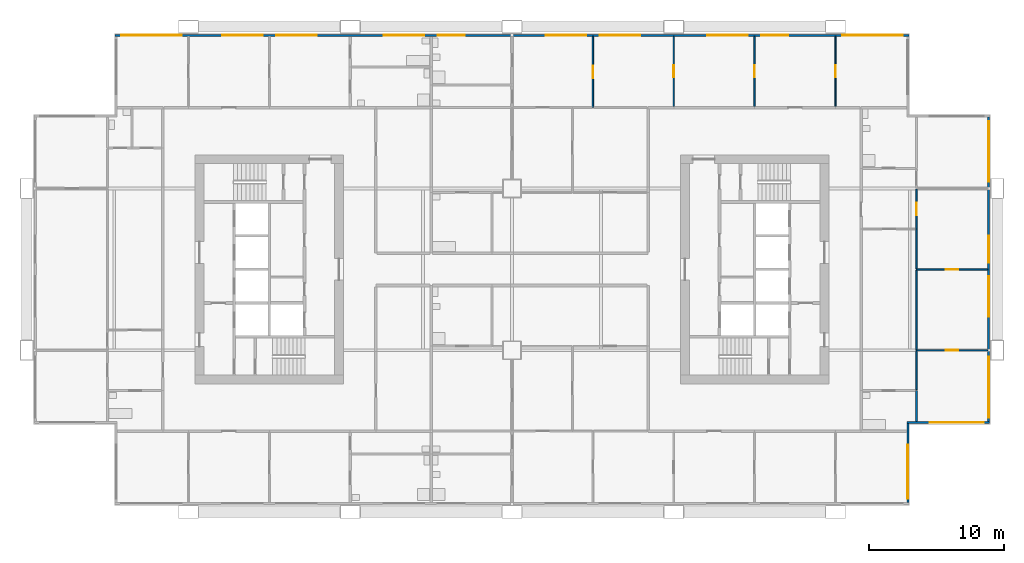
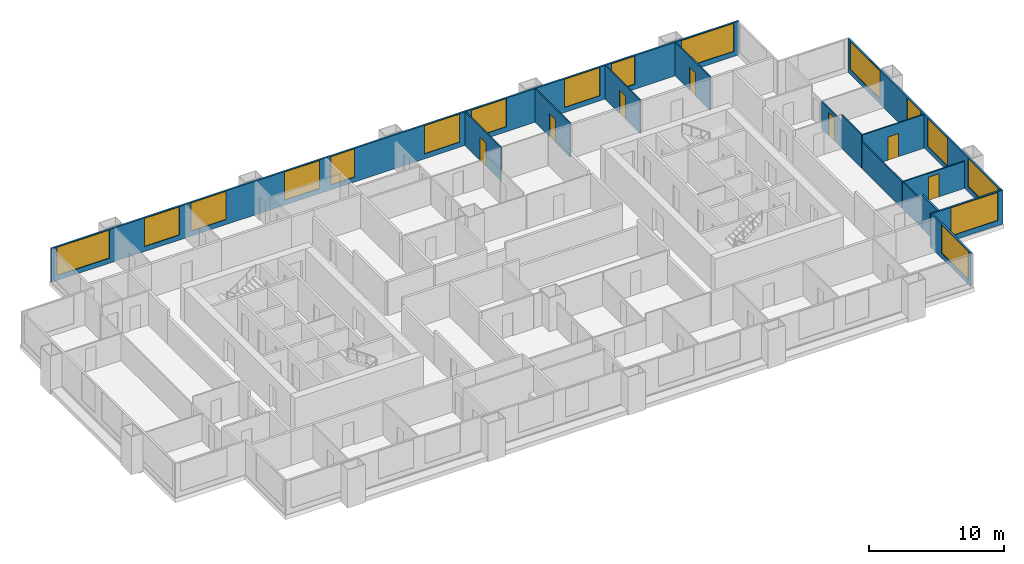
# One storey, part 8 of 11: 16 windows, 15 walls, 7 doors, 23 openings.
"""IFC4 building model written with IfcOpenShell, lengths in metres."""

from ifc_helpers import new_model, si_unit, direction, frame, frame_2d, origin, place, context, subcontext, project, spatial, rectangle, extrude, material, layer, layer_set, type_object, element, fill, save


model = new_model("IFC4")

# Units and contexts
model_context = context("Model", 3, precision=1e-05, world=origin(), true_north=direction((0.0, 1.0)))
body_context = subcontext(model_context, "Body", "Model", "MODEL_VIEW")
ifc_project = project(units=[si_unit("LENGTHUNIT", "METRE"), si_unit("AREAUNIT", "SQUARE_METRE"), si_unit("VOLUMEUNIT", "CUBIC_METRE"), si_unit("PLANEANGLEUNIT", "RADIAN"), si_unit("MASSUNIT", "GRAM", prefix="KILO")], contexts=[model_context])

# Site, building, storey
site_placement = place(None, origin())
site = spatial("IfcSite", under=ifc_project, at=site_placement, CompositionType="ELEMENT")
building_placement = place(site_placement, origin())
building = spatial("IfcBuilding", under=site, at=building_placement, Name="Kitamizu Gate Tower and Museum", CompositionType="ELEMENT")
storey_placement = place(building_placement, frame((0.0, 0.0, 110.39990234375)))
storey = spatial("IfcBuildingStorey", under=building, at=storey_placement, Name="L28", CompositionType="ELEMENT", Elevation=110.39990234375)

# Wall, opening, door
ifc_material_1 = material(Name="Gypsum board on galvanised stud")
ifc_layer_1 = layer(ifc_material_1, 0.10009765625)
ifc_layer_set_1 = layer_set([ifc_layer_1], Name="Gypsum board on galvanised stud")
wall_type_1 = type_object("IfcWallType", Name="Partition 100 NOT RATED", PredefinedType="PARTITIONING", material=ifc_layer_set_1)
wall_1_placement = place(storey_placement, frame((71.280029296875, 24.0, 0.0), z_axis=(0.0, 0.0, 1.0), x_axis=(-1.0, 0.0, 0.0)))
wall_1 = element("IfcWall", 1, at=wall_1_placement, inside=storey, type_object=wall_type_1, Name="Partition L28-068", PredefinedType="PARTITIONING", context=body_context, shape_type="SweptSolid", body=[
    extrude(rectangle(XDim=5.280029296875, YDim=0.10009765625, at=frame_2d((2.64013671875, 0.0))), origin(), (0.0, 0.0, 1.0), 2.4501953125),
])
opening_1_placement = place(wall_1_placement, frame((2.18994140625, 0.0, 0.0)))
opening_1 = element("IfcOpeningElement", 2, at=opening_1_placement, cuts=wall_1, Name="Opening L28-032", PredefinedType="OPENING", context=body_context, shape_type="SweptSolid", body=[
    extrude(rectangle(XDim=0.89990234375, YDim=2.10009765625, at=frame_2d((0.449951171875, 1.050048828125))), frame((0.0, 0.06005859375, 0.0), z_axis=(0.0, -1.0, 0.0), x_axis=(1.0, 0.0, 0.0)), (0.0, 0.0, 1.0), 0.1201171875),
])
ifc_material_2 = material(Name="Timber door set", Category="wood")
door_type = type_object("IfcDoorType", Name="Room door 900", OperationType="NOTDEFINED", PredefinedType="DOOR", material=ifc_material_2)
door_1_placement = place(opening_1_placement, origin())
door_1 = element("IfcDoor", 3, at=door_1_placement, inside=storey, type_object=door_type, Name="Door L28-032", OperationType="SINGLE_SWING_LEFT", OverallHeight=2.10009765625, OverallWidth=0.89990234375, PredefinedType="DOOR", context=body_context, shape_type="SweptSolid", body=[
    extrude(rectangle(XDim=0.89990234375, YDim=2.10009765625, at=frame_2d((0.449951171875, 1.050048828125))), frame((0.0, 0.02490234375, 0.0), z_axis=(0.0, -1.0, 0.0), x_axis=(1.0, 0.0, 0.0)), (0.0, 0.0, 1.0), 0.050048828125),
])
fill(opening_1, door_1)

# Wall
wall_2_placement = place(storey_placement, frame((66.0, 23.949951171875, 0.0), z_axis=(0.0, 0.0, 1.0), x_axis=(0.0, -1.0, 0.0)))
element("IfcWall", 4, at=wall_2_placement, inside=storey, type_object=wall_type_1, Name="Partition L28-070", PredefinedType="PARTITIONING", context=body_context, shape_type="SweptSolid", body=[
    extrude(rectangle(XDim=2.875, YDim=0.10009765625, at=frame_2d((1.4375, 0.0))), origin(), (0.0, 0.0, 1.0), 2.4501953125),
])

# Wall, opening, door
wall_3_placement = place(storey_placement, frame((71.280029296875, 30.0, 0.0), z_axis=(0.0, 0.0, 1.0), x_axis=(-1.0, 0.0, 0.0)))
wall_3 = element("IfcWall", 5, at=wall_3_placement, inside=storey, type_object=wall_type_1, Name="Partition L28-071", PredefinedType="PARTITIONING", context=body_context, shape_type="SweptSolid", body=[
    extrude(rectangle(XDim=5.280029296875, YDim=0.10009765625, at=frame_2d((2.64013671875, 0.0))), origin(), (0.0, 0.0, 1.0), 3.050048828125),
])
opening_2_placement = place(wall_3_placement, frame((2.18994140625, 0.0, 0.0)))
opening_2 = element("IfcOpeningElement", 6, at=opening_2_placement, cuts=wall_3, Name="Opening L28-030", PredefinedType="OPENING", context=body_context, shape_type="SweptSolid", body=[
    extrude(rectangle(XDim=0.89990234375, YDim=2.10009765625, at=frame_2d((0.449951171875, 1.050048828125))), frame((0.0, 0.06005859375, 0.0), z_axis=(0.0, -1.0, 0.0), x_axis=(1.0, 0.0, 0.0)), (0.0, 0.0, 1.0), 0.1201171875),
])
door_2_placement = place(opening_2_placement, origin())
door_2 = element("IfcDoor", 7, at=door_2_placement, inside=storey, type_object=door_type, Name="Door L28-030", OperationType="SINGLE_SWING_LEFT", OverallHeight=2.10009765625, OverallWidth=0.89990234375, PredefinedType="DOOR", context=body_context, shape_type="SweptSolid", body=[
    extrude(rectangle(XDim=0.89990234375, YDim=2.10009765625, at=frame_2d((0.449951171875, 1.050048828125))), frame((0.0, 0.02490234375, 0.0), z_axis=(0.0, -1.0, 0.0), x_axis=(1.0, 0.0, 0.0)), (0.0, 0.0, 1.0), 0.050048828125),
])
fill(opening_2, door_2)

# Walls
wall_4_placement = place(storey_placement, frame((66.0, 29.949951171875, 0.0), z_axis=(0.0, 0.0, 1.0), x_axis=(0.0, -1.0, 0.0)))
element("IfcWall", 8, at=wall_4_placement, inside=storey, type_object=wall_type_1, Name="Partition L28-072", PredefinedType="PARTITIONING", context=body_context, shape_type="SweptSolid", body=[
    extrude(rectangle(XDim=5.89990234375, YDim=0.10009765625, at=frame_2d((2.949951171875, 0.0))), origin(), (0.0, 0.0, 1.0), 2.4501953125),
])
wall_5_placement = place(storey_placement, frame((66.0, 33.0, 0.0), z_axis=(0.0, 0.0, 1.0), x_axis=(0.0, -1.0, 0.0)))
element("IfcWall", 9, at=wall_5_placement, inside=storey, type_object=wall_type_1, Name="Partition L28-074", PredefinedType="PARTITIONING", context=body_context, shape_type="SweptSolid", body=[
    extrude(rectangle(XDim=2.949951171875, YDim=0.10009765625, at=frame_2d((1.47509765625, 0.0))), origin(), (0.0, 0.0, 1.0), 3.050048828125),
])

# Wall, opening, door
wall_6_placement = place(storey_placement, frame((66.0, 35.949951171875, 0.0), z_axis=(0.0, 0.0, 1.0), x_axis=(0.0, -1.0, 0.0)))
wall_6 = element("IfcWall", 10, at=wall_6_placement, inside=storey, type_object=wall_type_1, Name="Partition L28-075", PredefinedType="PARTITIONING", context=body_context, shape_type="SweptSolid", body=[
    extrude(rectangle(XDim=2.949951171875, YDim=0.10009765625, at=frame_2d((1.47509765625, 0.0))), origin(), (0.0, 0.0, 1.0), 2.4501953125),
])
opening_3_placement = place(wall_6_placement, frame((1.02490234375, 0.0, 0.0)))
opening_3 = element("IfcOpeningElement", 11, at=opening_3_placement, cuts=wall_6, Name="Opening L28-027", PredefinedType="OPENING", context=body_context, shape_type="SweptSolid", body=[
    extrude(rectangle(XDim=0.89990234375, YDim=2.10009765625, at=frame_2d((0.449951171875, 1.050048828125))), frame((0.0, 0.06005859375, 0.0), z_axis=(0.0, -1.0, 0.0), x_axis=(1.0, 0.0, 0.0)), (0.0, 0.0, 1.0), 0.1201171875),
])
door_3_placement = place(opening_3_placement, origin())
door_3 = element("IfcDoor", 12, at=door_3_placement, inside=storey, type_object=door_type, Name="Door L28-027", OperationType="SINGLE_SWING_RIGHT", OverallHeight=2.10009765625, OverallWidth=0.89990234375, PredefinedType="DOOR", context=body_context, shape_type="SweptSolid", body=[
    extrude(rectangle(XDim=0.89990234375, YDim=2.10009765625, at=frame_2d((0.449951171875, 1.050048828125))), frame((0.0, 0.02490234375, 0.0), z_axis=(0.0, -1.0, 0.0), x_axis=(1.0, 0.0, 0.0)), (0.0, 0.0, 1.0), 0.050048828125),
])
fill(opening_3, door_3)

wall_7_placement = place(storey_placement, frame((42.0, 42.0, 0.0), z_axis=(0.0, 0.0, 1.0), x_axis=(0.0, 1.0, 0.0)))
wall_7 = element("IfcWall", 13, at=wall_7_placement, inside=storey, type_object=wall_type_1, Name="Partition L28-111", PredefinedType="PARTITIONING", context=body_context, shape_type="SweptSolid", body=[
    extrude(rectangle(XDim=5.280029296875, YDim=0.10009765625, at=frame_2d((2.64013671875, 0.0))), origin(), (0.0, 0.0, 1.0), 3.050048828125),
])
opening_4_placement = place(wall_7_placement, frame((2.18994140625, 0.0, 0.0)))
opening_4 = element("IfcOpeningElement", 14, at=opening_4_placement, cuts=wall_7, Name="Opening L28-043", PredefinedType="OPENING", context=body_context, shape_type="SweptSolid", body=[
    extrude(rectangle(XDim=0.89990234375, YDim=2.10009765625, at=frame_2d((0.449951171875, 1.050048828125))), frame((0.0, 0.06005859375, 0.0), z_axis=(0.0, -1.0, 0.0), x_axis=(1.0, 0.0, 0.0)), (0.0, 0.0, 1.0), 0.1201171875),
])
door_4_placement = place(opening_4_placement, origin())
door_4 = element("IfcDoor", 15, at=door_4_placement, inside=storey, type_object=door_type, Name="Door L28-043", OperationType="SINGLE_SWING_RIGHT", OverallHeight=2.10009765625, OverallWidth=0.89990234375, PredefinedType="DOOR", context=body_context, shape_type="SweptSolid", body=[
    extrude(rectangle(XDim=0.89990234375, YDim=2.10009765625, at=frame_2d((0.449951171875, 1.050048828125))), frame((0.0, 0.02490234375, 0.0), z_axis=(0.0, -1.0, 0.0), x_axis=(1.0, 0.0, 0.0)), (0.0, 0.0, 1.0), 0.050048828125),
])
fill(opening_4, door_4)

wall_8_placement = place(storey_placement, frame((48.0, 42.10009765625, 0.0), z_axis=(0.0, 0.0, 1.0), x_axis=(0.0, 1.0, 0.0)))
wall_8 = element("IfcWall", 16, at=wall_8_placement, inside=storey, type_object=wall_type_1, Name="Partition L28-114", PredefinedType="PARTITIONING", context=body_context, shape_type="SweptSolid", body=[
    extrude(rectangle(XDim=5.179931640625, YDim=0.10009765625, at=frame_2d((2.58984375, 0.0))), origin(), (0.0, 0.0, 1.0), 3.050048828125),
])
opening_5_placement = place(wall_8_placement, frame((2.139892578125, 0.0, 0.0)))
opening_5 = element("IfcOpeningElement", 17, at=opening_5_placement, cuts=wall_8, Name="Opening L28-042", PredefinedType="OPENING", context=body_context, shape_type="SweptSolid", body=[
    extrude(rectangle(XDim=0.89990234375, YDim=2.10009765625, at=frame_2d((0.449951171875, 1.050048828125))), frame((0.0, 0.06005859375, 0.0), z_axis=(0.0, -1.0, 0.0), x_axis=(1.0, 0.0, 0.0)), (0.0, 0.0, 1.0), 0.1201171875),
])
door_5_placement = place(opening_5_placement, origin())
door_5 = element("IfcDoor", 18, at=door_5_placement, inside=storey, type_object=door_type, Name="Door L28-042", OperationType="SINGLE_SWING_LEFT", OverallHeight=2.10009765625, OverallWidth=0.89990234375, PredefinedType="DOOR", context=body_context, shape_type="SweptSolid", body=[
    extrude(rectangle(XDim=0.89990234375, YDim=2.10009765625, at=frame_2d((0.449951171875, 1.050048828125))), frame((0.0, 0.02490234375, 0.0), z_axis=(0.0, -1.0, 0.0), x_axis=(1.0, 0.0, 0.0)), (0.0, 0.0, 1.0), 0.050048828125),
])
fill(opening_5, door_5)

wall_9_placement = place(storey_placement, frame((54.0, 42.10009765625, 0.0), z_axis=(0.0, 0.0, 1.0), x_axis=(0.0, 1.0, 0.0)))
wall_9 = element("IfcWall", 19, at=wall_9_placement, inside=storey, type_object=wall_type_1, Name="Partition L28-117", PredefinedType="PARTITIONING", context=body_context, shape_type="SweptSolid", body=[
    extrude(rectangle(XDim=5.179931640625, YDim=0.10009765625, at=frame_2d((2.58984375, 0.0))), origin(), (0.0, 0.0, 1.0), 3.050048828125),
])
opening_6_placement = place(wall_9_placement, frame((2.139892578125, 0.0, 0.0)))
opening_6 = element("IfcOpeningElement", 20, at=opening_6_placement, cuts=wall_9, Name="Opening L28-040", PredefinedType="OPENING", context=body_context, shape_type="SweptSolid", body=[
    extrude(rectangle(XDim=0.89990234375, YDim=2.10009765625, at=frame_2d((0.449951171875, 1.050048828125))), frame((0.0, 0.06005859375, 0.0), z_axis=(0.0, -1.0, 0.0), x_axis=(1.0, 0.0, 0.0)), (0.0, 0.0, 1.0), 0.1201171875),
])
door_6_placement = place(opening_6_placement, origin())
door_6 = element("IfcDoor", 21, at=door_6_placement, inside=storey, type_object=door_type, Name="Door L28-040", OperationType="SINGLE_SWING_LEFT", OverallHeight=2.10009765625, OverallWidth=0.89990234375, PredefinedType="DOOR", context=body_context, shape_type="SweptSolid", body=[
    extrude(rectangle(XDim=0.89990234375, YDim=2.10009765625, at=frame_2d((0.449951171875, 1.050048828125))), frame((0.0, 0.02490234375, 0.0), z_axis=(0.0, -1.0, 0.0), x_axis=(1.0, 0.0, 0.0)), (0.0, 0.0, 1.0), 0.050048828125),
])
fill(opening_6, door_6)

wall_10_placement = place(storey_placement, frame((60.0, 42.10009765625, 0.0), z_axis=(0.0, 0.0, 1.0), x_axis=(0.0, 1.0, 0.0)))
wall_10 = element("IfcWall", 22, at=wall_10_placement, inside=storey, type_object=wall_type_1, Name="Partition L28-119", PredefinedType="PARTITIONING", context=body_context, shape_type="SweptSolid", body=[
    extrude(rectangle(XDim=5.179931640625, YDim=0.10009765625, at=frame_2d((2.58984375, 0.0))), origin(), (0.0, 0.0, 1.0), 3.050048828125),
])
opening_7_placement = place(wall_10_placement, frame((2.139892578125, 0.0, 0.0)))
opening_7 = element("IfcOpeningElement", 23, at=opening_7_placement, cuts=wall_10, Name="Opening L28-041", PredefinedType="OPENING", context=body_context, shape_type="SweptSolid", body=[
    extrude(rectangle(XDim=0.89990234375, YDim=2.10009765625, at=frame_2d((0.449951171875, 1.050048828125))), frame((0.0, 0.06005859375, 0.0), z_axis=(0.0, -1.0, 0.0), x_axis=(1.0, 0.0, 0.0)), (0.0, 0.0, 1.0), 0.1201171875),
])
door_7_placement = place(opening_7_placement, frame((0.89990234375, 0.0, 0.0), x_axis=(-1.0, 0.0, 0.0)))
door_7 = element("IfcDoor", 24, at=door_7_placement, inside=storey, type_object=door_type, Name="Door L28-041", OperationType="SINGLE_SWING_LEFT", OverallHeight=2.10009765625, OverallWidth=0.89990234375, PredefinedType="DOOR", context=body_context, shape_type="SweptSolid", body=[
    extrude(rectangle(XDim=0.89990234375, YDim=2.10009765625, at=frame_2d((0.449951171875, 1.050048828125))), frame((0.0, 0.02490234375, 0.0), z_axis=(0.0, -1.0, 0.0), x_axis=(1.0, 0.0, 0.0)), (0.0, 0.0, 1.0), 0.050048828125),
])
fill(opening_7, door_7)

# Wall
ifc_material_3 = material(Name="Gypsum board on galvanised stud")
ifc_layer_2 = layer(ifc_material_3, 0.14990234375)
ifc_layer_set_2 = layer_set([ifc_layer_2], Name="Gypsum board on galvanised stud")
wall_type_2 = type_object("IfcWallType", Name="Partition 150", PredefinedType="PARTITIONING", material=ifc_layer_set_2)
wall_11_placement = place(storey_placement, frame((66.0, 21.0, 0.0), z_axis=(0.0, 0.0, 1.0), x_axis=(0.0, -1.0, 0.0)))
element("IfcWall", 25, at=wall_11_placement, inside=storey, type_object=wall_type_2, Name="Partition L28-069", PredefinedType="PARTITIONING", context=body_context, shape_type="SweptSolid", body=[
    extrude(rectangle(XDim=2.280029296875, YDim=0.14990234375, at=frame_2d((1.14013671875, 0.0))), origin(), (0.0, 0.0, 1.0), 3.050048828125),
])

# Wall, opening, window
ifc_material_4 = material(Name="Bronze anodised aluminium frame with insulated spandrel and tinted glass", Category="aluminium")
ifc_layer_3 = layer(ifc_material_4, 0.14990234375)
ifc_layer_set_3 = layer_set([ifc_layer_3], Name="Bronze anodised aluminium frame with insulated spandrel and tinted glass")
wall_type_3 = type_object("IfcWallType", Name="WINDOW WALL 150 BRONZE FRAME EI 30", PredefinedType="ELEMENTEDWALL", material=ifc_layer_set_3)
wall_12_placement = place(storey_placement, frame((65.364990234375, 12.7099609375, 0.0), z_axis=(0.0, 0.0, 1.0), x_axis=(0.0, 1.0, 0.0)))
wall_12 = element("IfcWall", 26, at=wall_12_placement, inside=storey, type_object=wall_type_3, Name="Window wall east L28", PredefinedType="ELEMENTEDWALL", context=body_context, shape_type="SweptSolid", body=[
    extrude(rectangle(XDim=5.85009765625, YDim=0.14990234375, at=frame_2d((2.925048828125, 0.0))), origin(), (0.0, 0.0, 1.0), 3.050048828125),
])
opening_8_placement = place(wall_12_placement, frame((0.2900390625, 0.0, 0.449951171875)))
opening_8 = element("IfcOpeningElement", 27, at=opening_8_placement, cuts=wall_12, Name="Opening W16", PredefinedType="OPENING", context=body_context, shape_type="SweptSolid", body=[
    extrude(rectangle(XDim=4.0, YDim=2.550048828125, at=frame_2d((2.0, 1.27490234375))), frame((0.0, 0.0849609375, 0.0), z_axis=(0.0, -1.0, 0.0), x_axis=(1.0, 0.0, 0.0)), (0.0, 0.0, 1.0), 0.169921875),
])
ifc_material_5 = material(Name="Bronze anodised aluminium frame, tinted triple glazing", Category="aluminium")
window_type_1 = type_object("IfcWindowType", Name="WINDOW 4000 x 2550 SILL 450", PartitioningType="SINGLE_PANEL", PredefinedType="WINDOW", material=ifc_material_5)
window_1_placement = place(opening_8_placement, origin())
window_1 = element("IfcWindow", 28, at=window_1_placement, inside=storey, type_object=window_type_1, Name="Window W16 L28", OverallHeight=2.550048828125, OverallWidth=4.0, PartitioningType="SINGLE_PANEL", PredefinedType="WINDOW", context=body_context, shape_type="SweptSolid", body=[
    extrude(rectangle(XDim=4.0, YDim=2.550048828125, at=frame_2d((2.0, 1.27490234375))), frame((0.0, 0.030029296875, 0.0), z_axis=(0.0, -1.0, 0.0), x_axis=(1.0, 0.0, 0.0)), (0.0, 0.0, 1.0), 0.06005859375),
])
fill(opening_8, window_1)

wall_13_placement = place(storey_placement, frame((65.2900390625, 18.635009765625, 0.0), z_axis=(0.0, 0.0, 1.0), x_axis=(1.0, 0.0, 0.0)))
wall_13 = element("IfcWall", 29, at=wall_13_placement, inside=storey, type_object=wall_type_3, Name="Window wall south L28", PredefinedType="ELEMENTEDWALL", context=body_context, shape_type="SweptSolid", body=[
    extrude(rectangle(XDim=6.14990234375, YDim=0.14990234375, at=frame_2d((3.074951171875, 0.0))), origin(), (0.0, 0.0, 1.0), 3.050048828125),
])
opening_9_placement = place(wall_13_placement, frame((1.7099609375, 0.0, 0.449951171875)))
opening_9 = element("IfcOpeningElement", 30, at=opening_9_placement, cuts=wall_13, Name="Opening W16", PredefinedType="OPENING", context=body_context, shape_type="SweptSolid", body=[
    extrude(rectangle(XDim=4.0, YDim=2.550048828125, at=frame_2d((2.0, 1.27490234375))), frame((0.0, 0.0849609375, 0.0), z_axis=(0.0, -1.0, 0.0), x_axis=(1.0, 0.0, 0.0)), (0.0, 0.0, 1.0), 0.169921875),
])
window_2_placement = place(opening_9_placement, origin())
window_2 = element("IfcWindow", 31, at=window_2_placement, inside=storey, type_object=window_type_1, Name="Window W16 L28", OverallHeight=2.550048828125, OverallWidth=4.0, PartitioningType="SINGLE_PANEL", PredefinedType="WINDOW", context=body_context, shape_type="SweptSolid", body=[
    extrude(rectangle(XDim=4.0, YDim=2.550048828125, at=frame_2d((2.0, 1.27490234375))), frame((0.0, 0.030029296875, 0.0), z_axis=(0.0, -1.0, 0.0), x_axis=(1.0, 0.0, 0.0)), (0.0, 0.0, 1.0), 0.06005859375),
])
fill(opening_9, window_2)

# Wall, openings, windows
wall_14_placement = place(storey_placement, frame((71.364990234375, 18.7099609375, 0.0), z_axis=(0.0, 0.0, 1.0), x_axis=(0.0, 1.0, 0.0)))
wall_14 = element("IfcWall", 32, at=wall_14_placement, inside=storey, type_object=wall_type_3, Name="Window wall east L28", PredefinedType="ELEMENTEDWALL", context=body_context, shape_type="SweptSolid", body=[
    extrude(rectangle(XDim=22.580078125, YDim=0.14990234375, at=frame_2d((11.2900390625, 0.0))), origin(), (0.0, 0.0, 1.0), 3.050048828125),
])
opening_10_placement = place(wall_14_placement, frame((0.2900390625, 0.0, 0.449951171875)))
opening_10 = element("IfcOpeningElement", 33, at=opening_10_placement, cuts=wall_14, Name="Opening W15", PredefinedType="OPENING", context=body_context, shape_type="SweptSolid", body=[
    extrude(rectangle(XDim=4.5, YDim=2.550048828125, at=frame_2d((2.25, 1.27490234375))), frame((0.0, 0.0849609375, 0.0), z_axis=(0.0, -1.0, 0.0), x_axis=(1.0, 0.0, 0.0)), (0.0, 0.0, 1.0), 0.169921875),
])
opening_11_placement = place(wall_14_placement, frame((7.7900390625, 0.0, 0.449951171875)))
opening_11 = element("IfcOpeningElement", 34, at=opening_11_placement, cuts=wall_14, Name="Opening W33", PredefinedType="OPENING", context=body_context, shape_type="SweptSolid", body=[
    extrude(rectangle(XDim=3.0, YDim=2.550048828125, at=frame_2d((1.5, 1.27490234375))), frame((0.0, 0.0849609375, 0.0), z_axis=(0.0, -1.0, 0.0), x_axis=(1.0, 0.0, 0.0)), (0.0, 0.0, 1.0), 0.169921875),
])
opening_12_placement = place(wall_14_placement, frame((11.7900390625, 0.0, 0.449951171875)))
opening_12 = element("IfcOpeningElement", 35, at=opening_12_placement, cuts=wall_14, Name="Opening W2", PredefinedType="OPENING", context=body_context, shape_type="SweptSolid", body=[
    extrude(rectangle(XDim=2.0, YDim=2.550048828125, at=frame_2d((1.0, 1.27490234375))), frame((0.0, 0.0849609375, 0.0), z_axis=(0.0, -1.0, 0.0), x_axis=(1.0, 0.0, 0.0)), (0.0, 0.0, 1.0), 0.169921875),
])
opening_13_placement = place(wall_14_placement, frame((17.7900390625, 0.0, 0.449951171875)))
opening_13 = element("IfcOpeningElement", 36, at=opening_13_placement, cuts=wall_14, Name="Opening W15", PredefinedType="OPENING", context=body_context, shape_type="SweptSolid", body=[
    extrude(rectangle(XDim=4.5, YDim=2.550048828125, at=frame_2d((2.25, 1.27490234375))), frame((0.0, 0.0849609375, 0.0), z_axis=(0.0, -1.0, 0.0), x_axis=(1.0, 0.0, 0.0)), (0.0, 0.0, 1.0), 0.169921875),
])
ifc_material_6 = material(Name="Bronze anodised aluminium frame, tinted triple glazing", Category="aluminium")
window_type_2 = type_object("IfcWindowType", Name="WINDOW 2000 x 2550 SILL 450", PartitioningType="SINGLE_PANEL", PredefinedType="WINDOW", material=ifc_material_6)
window_3_placement = place(opening_12_placement, origin())
window_3 = element("IfcWindow", 37, at=window_3_placement, inside=storey, type_object=window_type_2, Name="Window W2 L28", OverallHeight=2.550048828125, OverallWidth=2.0, PartitioningType="SINGLE_PANEL", PredefinedType="WINDOW", context=body_context, shape_type="SweptSolid", body=[
    extrude(rectangle(XDim=2.0, YDim=2.550048828125, at=frame_2d((1.0, 1.27490234375))), frame((0.0, 0.030029296875, 0.0), z_axis=(0.0, -1.0, 0.0), x_axis=(1.0, 0.0, 0.0)), (0.0, 0.0, 1.0), 0.06005859375),
])
fill(opening_12, window_3)
ifc_material_7 = material(Name="Bronze anodised aluminium frame, tinted triple glazing", Category="aluminium")
window_type_3 = type_object("IfcWindowType", Name="WINDOW 3000 x 2550 SILL 450", PartitioningType="SINGLE_PANEL", PredefinedType="WINDOW", material=ifc_material_7)
window_4_placement = place(opening_11_placement, origin())
window_4 = element("IfcWindow", 38, at=window_4_placement, inside=storey, type_object=window_type_3, Name="Window W33 L28", OverallHeight=2.550048828125, OverallWidth=3.0, PartitioningType="SINGLE_PANEL", PredefinedType="WINDOW", context=body_context, shape_type="SweptSolid", body=[
    extrude(rectangle(XDim=3.0, YDim=2.550048828125, at=frame_2d((1.5, 1.27490234375))), frame((0.0, 0.030029296875, 0.0), z_axis=(0.0, -1.0, 0.0), x_axis=(1.0, 0.0, 0.0)), (0.0, 0.0, 1.0), 0.06005859375),
])
fill(opening_11, window_4)
ifc_material_8 = material(Name="Bronze anodised aluminium frame, tinted triple glazing", Category="aluminium")
window_type_4 = type_object("IfcWindowType", Name="WINDOW 4500 x 2550 SILL 450", PartitioningType="SINGLE_PANEL", PredefinedType="WINDOW", material=ifc_material_8)
window_5_placement = place(opening_10_placement, origin())
window_5 = element("IfcWindow", 39, at=window_5_placement, inside=storey, type_object=window_type_4, Name="Window W15 L28", OverallHeight=2.550048828125, OverallWidth=4.5, PartitioningType="SINGLE_PANEL", PredefinedType="WINDOW", context=body_context, shape_type="SweptSolid", body=[
    extrude(rectangle(XDim=4.5, YDim=2.550048828125, at=frame_2d((2.25, 1.27490234375))), frame((0.0, 0.030029296875, 0.0), z_axis=(0.0, -1.0, 0.0), x_axis=(1.0, 0.0, 0.0)), (0.0, 0.0, 1.0), 0.06005859375),
])
fill(opening_10, window_5)
window_6_placement = place(opening_13_placement, origin())
window_6 = element("IfcWindow", 40, at=window_6_placement, inside=storey, type_object=window_type_4, Name="Window W15 L28", OverallHeight=2.550048828125, OverallWidth=4.5, PartitioningType="SINGLE_PANEL", PredefinedType="WINDOW", context=body_context, shape_type="SweptSolid", body=[
    extrude(rectangle(XDim=4.5, YDim=2.550048828125, at=frame_2d((2.25, 1.27490234375))), frame((0.0, 0.030029296875, 0.0), z_axis=(0.0, -1.0, 0.0), x_axis=(1.0, 0.0, 0.0)), (0.0, 0.0, 1.0), 0.06005859375),
])
fill(opening_13, window_6)

wall_15_placement = place(storey_placement, frame((6.56005859375, 47.364990234375, 0.0), z_axis=(0.0, 0.0, 1.0), x_axis=(1.0, 0.0, 0.0)))
wall_15 = element("IfcWall", 41, at=wall_15_placement, inside=storey, type_object=wall_type_3, Name="Window wall north L28", PredefinedType="ELEMENTEDWALL", context=body_context, shape_type="SweptSolid", body=[
    extrude(rectangle(XDim=58.8798828125, YDim=0.14990234375, at=frame_2d((29.43994140625, 0.0))), origin(), (0.0, 0.0, 1.0), 3.050048828125),
])
opening_14_placement = place(wall_15_placement, frame((0.43994140625, 0.0, 0.449951171875)))
opening_14 = element("IfcOpeningElement", 42, at=opening_14_placement, cuts=wall_15, Name="Opening W15", PredefinedType="OPENING", context=body_context, shape_type="SweptSolid", body=[
    extrude(rectangle(XDim=4.5, YDim=2.550048828125, at=frame_2d((2.25, 1.27490234375))), frame((0.0, 0.0849609375, 0.0), z_axis=(0.0, -1.0, 0.0), x_axis=(1.0, 0.0, 0.0)), (0.0, 0.0, 1.0), 0.169921875),
])
opening_15_placement = place(wall_15_placement, frame((7.93994140625, 0.0, 0.449951171875)))
opening_15 = element("IfcOpeningElement", 43, at=opening_15_placement, cuts=wall_15, Name="Opening W33", PredefinedType="OPENING", context=body_context, shape_type="SweptSolid", body=[
    extrude(rectangle(XDim=3.0, YDim=2.550048828125, at=frame_2d((1.5, 1.27490234375))), frame((0.0, 0.0849609375, 0.0), z_axis=(0.0, -1.0, 0.0), x_axis=(1.0, 0.0, 0.0)), (0.0, 0.0, 1.0), 0.169921875),
])
opening_16_placement = place(wall_15_placement, frame((11.93994140625, 0.0, 0.449951171875)))
opening_16 = element("IfcOpeningElement", 44, at=opening_16_placement, cuts=wall_15, Name="Opening W33", PredefinedType="OPENING", context=body_context, shape_type="SweptSolid", body=[
    extrude(rectangle(XDim=3.0, YDim=2.550048828125, at=frame_2d((1.5, 1.27490234375))), frame((0.0, 0.0849609375, 0.0), z_axis=(0.0, -1.0, 0.0), x_axis=(1.0, 0.0, 0.0)), (0.0, 0.0, 1.0), 0.169921875),
])
opening_17_placement = place(wall_15_placement, frame((19.93994140625, 0.0, 0.449951171875)))
opening_17 = element("IfcOpeningElement", 45, at=opening_17_placement, cuts=wall_15, Name="Opening W33", PredefinedType="OPENING", context=body_context, shape_type="SweptSolid", body=[
    extrude(rectangle(XDim=3.0, YDim=2.550048828125, at=frame_2d((1.5, 1.27490234375))), frame((0.0, 0.0849609375, 0.0), z_axis=(0.0, -1.0, 0.0), x_axis=(1.0, 0.0, 0.0)), (0.0, 0.0, 1.0), 0.169921875),
])
opening_18_placement = place(wall_15_placement, frame((23.93994140625, 0.0, 0.449951171875)))
opening_18 = element("IfcOpeningElement", 46, at=opening_18_placement, cuts=wall_15, Name="Opening W2", PredefinedType="OPENING", context=body_context, shape_type="SweptSolid", body=[
    extrude(rectangle(XDim=2.0, YDim=2.550048828125, at=frame_2d((1.0, 1.27490234375))), frame((0.0, 0.0849609375, 0.0), z_axis=(0.0, -1.0, 0.0), x_axis=(1.0, 0.0, 0.0)), (0.0, 0.0, 1.0), 0.169921875),
])
opening_19_placement = place(wall_15_placement, frame((31.93994140625, 0.0, 0.449951171875)))
opening_19 = element("IfcOpeningElement", 47, at=opening_19_placement, cuts=wall_15, Name="Opening W33", PredefinedType="OPENING", context=body_context, shape_type="SweptSolid", body=[
    extrude(rectangle(XDim=3.0, YDim=2.550048828125, at=frame_2d((1.5, 1.27490234375))), frame((0.0, 0.0849609375, 0.0), z_axis=(0.0, -1.0, 0.0), x_axis=(1.0, 0.0, 0.0)), (0.0, 0.0, 1.0), 0.169921875),
])
opening_20_placement = place(wall_15_placement, frame((35.93994140625, 0.0, 0.449951171875)))
opening_20 = element("IfcOpeningElement", 48, at=opening_20_placement, cuts=wall_15, Name="Opening W33", PredefinedType="OPENING", context=body_context, shape_type="SweptSolid", body=[
    extrude(rectangle(XDim=3.0, YDim=2.550048828125, at=frame_2d((1.5, 1.27490234375))), frame((0.0, 0.0849609375, 0.0), z_axis=(0.0, -1.0, 0.0), x_axis=(1.0, 0.0, 0.0)), (0.0, 0.0, 1.0), 0.169921875),
])
opening_21_placement = place(wall_15_placement, frame((43.93994140625, 0.0, 0.449951171875)))
opening_21 = element("IfcOpeningElement", 49, at=opening_21_placement, cuts=wall_15, Name="Opening W33", PredefinedType="OPENING", context=body_context, shape_type="SweptSolid", body=[
    extrude(rectangle(XDim=3.0, YDim=2.550048828125, at=frame_2d((1.5, 1.27490234375))), frame((0.0, 0.0849609375, 0.0), z_axis=(0.0, -1.0, 0.0), x_axis=(1.0, 0.0, 0.0)), (0.0, 0.0, 1.0), 0.169921875),
])
opening_22_placement = place(wall_15_placement, frame((47.93994140625, 0.0, 0.449951171875)))
opening_22 = element("IfcOpeningElement", 50, at=opening_22_placement, cuts=wall_15, Name="Opening W2", PredefinedType="OPENING", context=body_context, shape_type="SweptSolid", body=[
    extrude(rectangle(XDim=2.0, YDim=2.550048828125, at=frame_2d((1.0, 1.27490234375))), frame((0.0, 0.0849609375, 0.0), z_axis=(0.0, -1.0, 0.0), x_axis=(1.0, 0.0, 0.0)), (0.0, 0.0, 1.0), 0.169921875),
])
opening_23_placement = place(wall_15_placement, frame((53.93994140625, 0.0, 0.449951171875)))
opening_23 = element("IfcOpeningElement", 51, at=opening_23_placement, cuts=wall_15, Name="Opening W15", PredefinedType="OPENING", context=body_context, shape_type="SweptSolid", body=[
    extrude(rectangle(XDim=4.5, YDim=2.550048828125, at=frame_2d((2.25, 1.27490234375))), frame((0.0, 0.0849609375, 0.0), z_axis=(0.0, -1.0, 0.0), x_axis=(1.0, 0.0, 0.0)), (0.0, 0.0, 1.0), 0.169921875),
])
window_7_placement = place(opening_18_placement, origin())
window_7 = element("IfcWindow", 52, at=window_7_placement, inside=storey, type_object=window_type_2, Name="Window W2 L28", OverallHeight=2.550048828125, OverallWidth=2.0, PartitioningType="SINGLE_PANEL", PredefinedType="WINDOW", context=body_context, shape_type="SweptSolid", body=[
    extrude(rectangle(XDim=2.0, YDim=2.550048828125, at=frame_2d((1.0, 1.27490234375))), frame((0.0, 0.030029296875, 0.0), z_axis=(0.0, -1.0, 0.0), x_axis=(1.0, 0.0, 0.0)), (0.0, 0.0, 1.0), 0.06005859375),
])
fill(opening_18, window_7)
window_8_placement = place(opening_22_placement, origin())
window_8 = element("IfcWindow", 53, at=window_8_placement, inside=storey, type_object=window_type_2, Name="Window W2 L28", OverallHeight=2.550048828125, OverallWidth=2.0, PartitioningType="SINGLE_PANEL", PredefinedType="WINDOW", context=body_context, shape_type="SweptSolid", body=[
    extrude(rectangle(XDim=2.0, YDim=2.550048828125, at=frame_2d((1.0, 1.27490234375))), frame((0.0, 0.030029296875, 0.0), z_axis=(0.0, -1.0, 0.0), x_axis=(1.0, 0.0, 0.0)), (0.0, 0.0, 1.0), 0.06005859375),
])
fill(opening_22, window_8)
window_9_placement = place(opening_15_placement, origin())
window_9 = element("IfcWindow", 54, at=window_9_placement, inside=storey, type_object=window_type_3, Name="Window W33 L28", OverallHeight=2.550048828125, OverallWidth=3.0, PartitioningType="SINGLE_PANEL", PredefinedType="WINDOW", context=body_context, shape_type="SweptSolid", body=[
    extrude(rectangle(XDim=3.0, YDim=2.550048828125, at=frame_2d((1.5, 1.27490234375))), frame((0.0, 0.030029296875, 0.0), z_axis=(0.0, -1.0, 0.0), x_axis=(1.0, 0.0, 0.0)), (0.0, 0.0, 1.0), 0.06005859375),
])
fill(opening_15, window_9)
window_10_placement = place(opening_16_placement, origin())
window_10 = element("IfcWindow", 55, at=window_10_placement, inside=storey, type_object=window_type_3, Name="Window W33 L28", OverallHeight=2.550048828125, OverallWidth=3.0, PartitioningType="SINGLE_PANEL", PredefinedType="WINDOW", context=body_context, shape_type="SweptSolid", body=[
    extrude(rectangle(XDim=3.0, YDim=2.550048828125, at=frame_2d((1.5, 1.27490234375))), frame((0.0, 0.030029296875, 0.0), z_axis=(0.0, -1.0, 0.0), x_axis=(1.0, 0.0, 0.0)), (0.0, 0.0, 1.0), 0.06005859375),
])
fill(opening_16, window_10)
window_11_placement = place(opening_17_placement, origin())
window_11 = element("IfcWindow", 56, at=window_11_placement, inside=storey, type_object=window_type_3, Name="Window W33 L28", OverallHeight=2.550048828125, OverallWidth=3.0, PartitioningType="SINGLE_PANEL", PredefinedType="WINDOW", context=body_context, shape_type="SweptSolid", body=[
    extrude(rectangle(XDim=3.0, YDim=2.550048828125, at=frame_2d((1.5, 1.27490234375))), frame((0.0, 0.030029296875, 0.0), z_axis=(0.0, -1.0, 0.0), x_axis=(1.0, 0.0, 0.0)), (0.0, 0.0, 1.0), 0.06005859375),
])
fill(opening_17, window_11)
window_12_placement = place(opening_19_placement, origin())
window_12 = element("IfcWindow", 57, at=window_12_placement, inside=storey, type_object=window_type_3, Name="Window W33 L28", OverallHeight=2.550048828125, OverallWidth=3.0, PartitioningType="SINGLE_PANEL", PredefinedType="WINDOW", context=body_context, shape_type="SweptSolid", body=[
    extrude(rectangle(XDim=3.0, YDim=2.550048828125, at=frame_2d((1.5, 1.27490234375))), frame((0.0, 0.030029296875, 0.0), z_axis=(0.0, -1.0, 0.0), x_axis=(1.0, 0.0, 0.0)), (0.0, 0.0, 1.0), 0.06005859375),
])
fill(opening_19, window_12)
window_13_placement = place(opening_20_placement, origin())
window_13 = element("IfcWindow", 58, at=window_13_placement, inside=storey, type_object=window_type_3, Name="Window W33 L28", OverallHeight=2.550048828125, OverallWidth=3.0, PartitioningType="SINGLE_PANEL", PredefinedType="WINDOW", context=body_context, shape_type="SweptSolid", body=[
    extrude(rectangle(XDim=3.0, YDim=2.550048828125, at=frame_2d((1.5, 1.27490234375))), frame((0.0, 0.030029296875, 0.0), z_axis=(0.0, -1.0, 0.0), x_axis=(1.0, 0.0, 0.0)), (0.0, 0.0, 1.0), 0.06005859375),
])
fill(opening_20, window_13)
window_14_placement = place(opening_21_placement, origin())
window_14 = element("IfcWindow", 59, at=window_14_placement, inside=storey, type_object=window_type_3, Name="Window W33 L28", OverallHeight=2.550048828125, OverallWidth=3.0, PartitioningType="SINGLE_PANEL", PredefinedType="WINDOW", context=body_context, shape_type="SweptSolid", body=[
    extrude(rectangle(XDim=3.0, YDim=2.550048828125, at=frame_2d((1.5, 1.27490234375))), frame((0.0, 0.030029296875, 0.0), z_axis=(0.0, -1.0, 0.0), x_axis=(1.0, 0.0, 0.0)), (0.0, 0.0, 1.0), 0.06005859375),
])
fill(opening_21, window_14)
window_15_placement = place(opening_14_placement, origin())
window_15 = element("IfcWindow", 60, at=window_15_placement, inside=storey, type_object=window_type_4, Name="Window W15 L28", OverallHeight=2.550048828125, OverallWidth=4.5, PartitioningType="SINGLE_PANEL", PredefinedType="WINDOW", context=body_context, shape_type="SweptSolid", body=[
    extrude(rectangle(XDim=4.5, YDim=2.550048828125, at=frame_2d((2.25, 1.27490234375))), frame((0.0, 0.030029296875, 0.0), z_axis=(0.0, -1.0, 0.0), x_axis=(1.0, 0.0, 0.0)), (0.0, 0.0, 1.0), 0.06005859375),
])
fill(opening_14, window_15)
window_16_placement = place(opening_23_placement, origin())
window_16 = element("IfcWindow", 61, at=window_16_placement, inside=storey, type_object=window_type_4, Name="Window W15 L28", OverallHeight=2.550048828125, OverallWidth=4.5, PartitioningType="SINGLE_PANEL", PredefinedType="WINDOW", context=body_context, shape_type="SweptSolid", body=[
    extrude(rectangle(XDim=4.5, YDim=2.550048828125, at=frame_2d((2.25, 1.27490234375))), frame((0.0, 0.030029296875, 0.0), z_axis=(0.0, -1.0, 0.0), x_axis=(1.0, 0.0, 0.0)), (0.0, 0.0, 1.0), 0.06005859375),
])
fill(opening_23, window_16)

save(model, "model.ifc")
